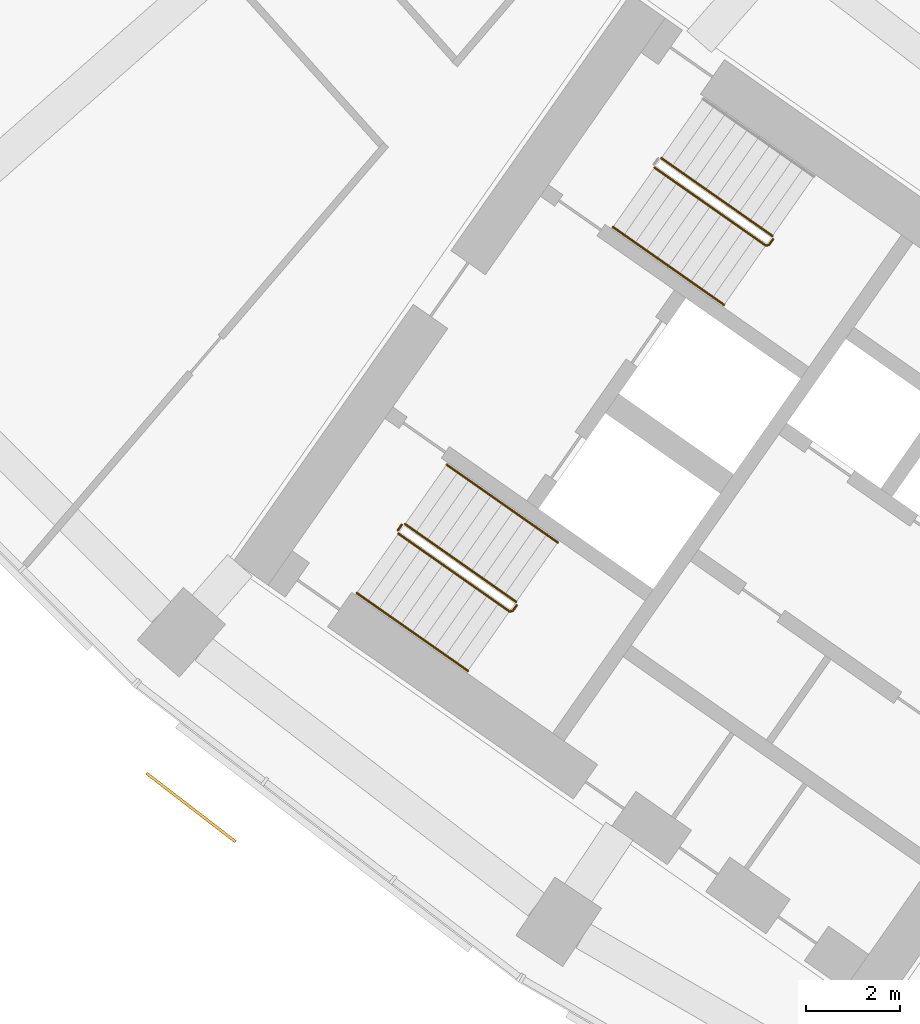
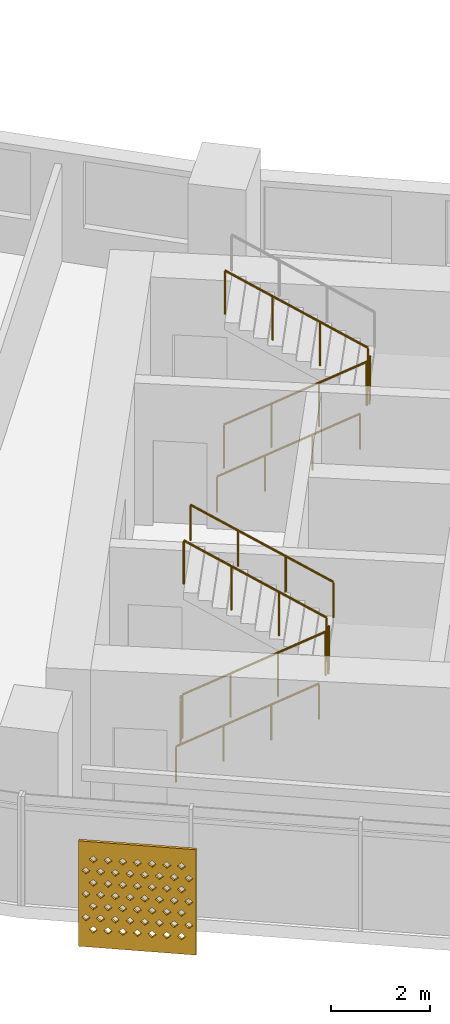
# One storey, part 23 of 29: 8 railings, 1 shading device.
"""IFC4 building model written with IfcOpenShell, lengths in metres."""

from ifc_helpers import new_model, si_unit, direction, frame, origin, origin_2d, place, context, subcontext, project, spatial, polyline, circle, outline, extrude, material, material_profile, profile_set, type_object, element, save


model = new_model("IFC4")

# Units and contexts
model_context = context("Model", 3, precision=1e-05, world=origin(), true_north=direction((0.0, 1.0)))
body_context = subcontext(model_context, "Body", "Model", "MODEL_VIEW")
ifc_project = project(units=[si_unit("LENGTHUNIT", "METRE"), si_unit("AREAUNIT", "SQUARE_METRE"), si_unit("VOLUMEUNIT", "CUBIC_METRE"), si_unit("PLANEANGLEUNIT", "RADIAN"), si_unit("MASSUNIT", "GRAM", prefix="KILO")], contexts=[model_context])

# Site, building, storey
site_placement = place(None, origin())
site = spatial("IfcSite", under=ifc_project, at=site_placement, CompositionType="ELEMENT")
building_placement = place(site_placement, origin())
building = spatial("IfcBuilding", under=site, at=building_placement, Name="Qamariyya Broadcast Tower", CompositionType="ELEMENT")
storey_placement = place(building_placement, frame((0.0, 0.0, 121.5)))
storey = spatial("IfcBuildingStorey", under=building, at=storey_placement, Name="L27", CompositionType="ELEMENT", Elevation=121.5)

# Shading device
ifc_material_1 = material(Name="Perforated glazed terracotta", Category="masonry")
ifc_material_profile = material_profile(ifc_material_1, outline(polyline([(-1.199951171875, -1.300048828125), (1.199951171875, -1.300048828125), (1.199951171875, 1.300048828125), (-1.199951171875, 1.300048828125), (-1.199951171875, -1.300048828125)]), holes=[polyline([(-0.81494140625, -0.86669921875), (-0.89990234375, -0.78173828125), (-0.985107421875, -0.86669921875), (-0.89990234375, -0.95166015625), (-0.81494140625, -0.86669921875)]), polyline([(-0.514892578125, -0.86669921875), (-0.60009765625, -0.78173828125), (-0.68505859375, -0.86669921875), (-0.60009765625, -0.95166015625), (-0.514892578125, -0.86669921875)]), polyline([(-0.215087890625, -0.86669921875), (-0.300048828125, -0.78173828125), (-0.385009765625, -0.86669921875), (-0.300048828125, -0.95166015625), (-0.215087890625, -0.86669921875)]), polyline([(0.0849609375, -0.86669921875), (0.0, -0.78173828125), (-0.0849609375, -0.86669921875), (0.0, -0.95166015625), (0.0849609375, -0.86669921875)]), polyline([(0.385009765625, -0.86669921875), (0.300048828125, -0.78173828125), (0.215087890625, -0.86669921875), (0.300048828125, -0.95166015625), (0.385009765625, -0.86669921875)]), polyline([(0.68505859375, -0.86669921875), (0.60009765625, -0.78173828125), (0.514892578125, -0.86669921875), (0.60009765625, -0.95166015625), (0.68505859375, -0.86669921875)]), polyline([(0.985107421875, -0.86669921875), (0.89990234375, -0.78173828125), (0.81494140625, -0.86669921875), (0.89990234375, -0.95166015625), (0.985107421875, -0.86669921875)]), polyline([(-0.965087890625, -0.577880859375), (-1.050048828125, -0.49267578125), (-1.135009765625, -0.577880859375), (-1.050048828125, -0.662841796875), (-0.965087890625, -0.577880859375)]), polyline([(-0.6650390625, -0.577880859375), (-0.75, -0.49267578125), (-0.8349609375, -0.577880859375), (-0.75, -0.662841796875), (-0.6650390625, -0.577880859375)]), polyline([(-0.364990234375, -0.577880859375), (-0.449951171875, -0.49267578125), (-0.534912109375, -0.577880859375), (-0.449951171875, -0.662841796875), (-0.364990234375, -0.577880859375)]), polyline([(-0.06494140625, -0.577880859375), (-0.14990234375, -0.49267578125), (-0.235107421875, -0.577880859375), (-0.14990234375, -0.662841796875), (-0.06494140625, -0.577880859375)]), polyline([(0.235107421875, -0.577880859375), (0.14990234375, -0.49267578125), (0.06494140625, -0.577880859375), (0.14990234375, -0.662841796875), (0.235107421875, -0.577880859375)]), polyline([(0.534912109375, -0.577880859375), (0.449951171875, -0.49267578125), (0.364990234375, -0.577880859375), (0.449951171875, -0.662841796875), (0.534912109375, -0.577880859375)]), polyline([(0.8349609375, -0.577880859375), (0.75, -0.49267578125), (0.6650390625, -0.577880859375), (0.75, -0.662841796875), (0.8349609375, -0.577880859375)]), polyline([(1.135009765625, -0.577880859375), (1.050048828125, -0.49267578125), (0.965087890625, -0.577880859375), (1.050048828125, -0.662841796875), (1.135009765625, -0.577880859375)]), polyline([(-0.81494140625, -0.288818359375), (-0.89990234375, -0.203857421875), (-0.985107421875, -0.288818359375), (-0.89990234375, -0.373779296875), (-0.81494140625, -0.288818359375)]), polyline([(-0.514892578125, -0.288818359375), (-0.60009765625, -0.203857421875), (-0.68505859375, -0.288818359375), (-0.60009765625, -0.373779296875), (-0.514892578125, -0.288818359375)]), polyline([(-0.215087890625, -0.288818359375), (-0.300048828125, -0.203857421875), (-0.385009765625, -0.288818359375), (-0.300048828125, -0.373779296875), (-0.215087890625, -0.288818359375)]), polyline([(0.0849609375, -0.288818359375), (0.0, -0.203857421875), (-0.0849609375, -0.288818359375), (0.0, -0.373779296875), (0.0849609375, -0.288818359375)]), polyline([(0.385009765625, -0.288818359375), (0.300048828125, -0.203857421875), (0.215087890625, -0.288818359375), (0.300048828125, -0.373779296875), (0.385009765625, -0.288818359375)]), polyline([(0.68505859375, -0.288818359375), (0.60009765625, -0.203857421875), (0.514892578125, -0.288818359375), (0.60009765625, -0.373779296875), (0.68505859375, -0.288818359375)]), polyline([(0.985107421875, -0.288818359375), (0.89990234375, -0.203857421875), (0.81494140625, -0.288818359375), (0.89990234375, -0.373779296875), (0.985107421875, -0.288818359375)]), polyline([(-0.965087890625, 0.0), (-1.050048828125, 0.0849609375), (-1.135009765625, 0.0), (-1.050048828125, -0.0849609375), (-0.965087890625, 0.0)]), polyline([(-0.6650390625, 0.0), (-0.75, 0.0849609375), (-0.8349609375, 0.0), (-0.75, -0.0849609375), (-0.6650390625, 0.0)]), polyline([(-0.364990234375, 0.0), (-0.449951171875, 0.0849609375), (-0.534912109375, 0.0), (-0.449951171875, -0.0849609375), (-0.364990234375, 0.0)]), polyline([(-0.06494140625, 0.0), (-0.14990234375, 0.0849609375), (-0.235107421875, 0.0), (-0.14990234375, -0.0849609375), (-0.06494140625, 0.0)]), polyline([(0.235107421875, 0.0), (0.14990234375, 0.0849609375), (0.06494140625, 0.0), (0.14990234375, -0.0849609375), (0.235107421875, 0.0)]), polyline([(0.534912109375, 0.0), (0.449951171875, 0.0849609375), (0.364990234375, 0.0), (0.449951171875, -0.0849609375), (0.534912109375, 0.0)]), polyline([(0.8349609375, 0.0), (0.75, 0.0849609375), (0.6650390625, 0.0), (0.75, -0.0849609375), (0.8349609375, 0.0)]), polyline([(1.135009765625, 0.0), (1.050048828125, 0.0849609375), (0.965087890625, 0.0), (1.050048828125, -0.0849609375), (1.135009765625, 0.0)]), polyline([(-0.81494140625, 0.288818359375), (-0.89990234375, 0.373779296875), (-0.985107421875, 0.288818359375), (-0.89990234375, 0.203857421875), (-0.81494140625, 0.288818359375)]), polyline([(-0.514892578125, 0.288818359375), (-0.60009765625, 0.373779296875), (-0.68505859375, 0.288818359375), (-0.60009765625, 0.203857421875), (-0.514892578125, 0.288818359375)]), polyline([(-0.215087890625, 0.288818359375), (-0.300048828125, 0.373779296875), (-0.385009765625, 0.288818359375), (-0.300048828125, 0.203857421875), (-0.215087890625, 0.288818359375)]), polyline([(0.0849609375, 0.288818359375), (0.0, 0.373779296875), (-0.0849609375, 0.288818359375), (0.0, 0.203857421875), (0.0849609375, 0.288818359375)]), polyline([(0.385009765625, 0.288818359375), (0.300048828125, 0.373779296875), (0.215087890625, 0.288818359375), (0.300048828125, 0.203857421875), (0.385009765625, 0.288818359375)]), polyline([(0.68505859375, 0.288818359375), (0.60009765625, 0.373779296875), (0.514892578125, 0.288818359375), (0.60009765625, 0.203857421875), (0.68505859375, 0.288818359375)]), polyline([(0.985107421875, 0.288818359375), (0.89990234375, 0.373779296875), (0.81494140625, 0.288818359375), (0.89990234375, 0.203857421875), (0.985107421875, 0.288818359375)]), polyline([(-0.965087890625, 0.577880859375), (-1.050048828125, 0.662841796875), (-1.135009765625, 0.577880859375), (-1.050048828125, 0.49267578125), (-0.965087890625, 0.577880859375)]), polyline([(-0.6650390625, 0.577880859375), (-0.75, 0.662841796875), (-0.8349609375, 0.577880859375), (-0.75, 0.49267578125), (-0.6650390625, 0.577880859375)]), polyline([(-0.364990234375, 0.577880859375), (-0.449951171875, 0.662841796875), (-0.534912109375, 0.577880859375), (-0.449951171875, 0.49267578125), (-0.364990234375, 0.577880859375)]), polyline([(-0.06494140625, 0.577880859375), (-0.14990234375, 0.662841796875), (-0.235107421875, 0.577880859375), (-0.14990234375, 0.49267578125), (-0.06494140625, 0.577880859375)]), polyline([(0.235107421875, 0.577880859375), (0.14990234375, 0.662841796875), (0.06494140625, 0.577880859375), (0.14990234375, 0.49267578125), (0.235107421875, 0.577880859375)]), polyline([(0.534912109375, 0.577880859375), (0.449951171875, 0.662841796875), (0.364990234375, 0.577880859375), (0.449951171875, 0.49267578125), (0.534912109375, 0.577880859375)]), polyline([(0.8349609375, 0.577880859375), (0.75, 0.662841796875), (0.6650390625, 0.577880859375), (0.75, 0.49267578125), (0.8349609375, 0.577880859375)]), polyline([(1.135009765625, 0.577880859375), (1.050048828125, 0.662841796875), (0.965087890625, 0.577880859375), (1.050048828125, 0.49267578125), (1.135009765625, 0.577880859375)]), polyline([(-0.81494140625, 0.86669921875), (-0.89990234375, 0.95166015625), (-0.985107421875, 0.86669921875), (-0.89990234375, 0.78173828125), (-0.81494140625, 0.86669921875)]), polyline([(-0.514892578125, 0.86669921875), (-0.60009765625, 0.95166015625), (-0.68505859375, 0.86669921875), (-0.60009765625, 0.78173828125), (-0.514892578125, 0.86669921875)]), polyline([(-0.215087890625, 0.86669921875), (-0.300048828125, 0.95166015625), (-0.385009765625, 0.86669921875), (-0.300048828125, 0.78173828125), (-0.215087890625, 0.86669921875)]), polyline([(0.0849609375, 0.86669921875), (0.0, 0.95166015625), (-0.0849609375, 0.86669921875), (0.0, 0.78173828125), (0.0849609375, 0.86669921875)]), polyline([(0.385009765625, 0.86669921875), (0.300048828125, 0.95166015625), (0.215087890625, 0.86669921875), (0.300048828125, 0.78173828125), (0.385009765625, 0.86669921875)]), polyline([(0.68505859375, 0.86669921875), (0.60009765625, 0.95166015625), (0.514892578125, 0.86669921875), (0.60009765625, 0.78173828125), (0.68505859375, 0.86669921875)]), polyline([(0.985107421875, 0.86669921875), (0.89990234375, 0.95166015625), (0.81494140625, 0.86669921875), (0.89990234375, 0.78173828125), (0.985107421875, 0.86669921875)])]))
ifc_profile_set = profile_set([ifc_material_profile], Name="Perforated glazed terracotta")
shading_device_type = type_object("IfcShadingDeviceType", Name="Perforated terracotta screen 2400 x 2600", PredefinedType="USERDEFINED", material=ifc_profile_set)
shading_device_placement = place(storey_placement, frame((-51.038818359375, -62.1787109375, 1.35009765625), z_axis=(-0.60971076085, -0.792623989105, 0.0), x_axis=(0.792623989105, -0.60971076085, 0.0)))
element("IfcShadingDevice", 1, at=shading_device_placement, inside=storey, type_object=shading_device_type, Name="e-scr-L27-04-0", ObjectType="SCREEN", PredefinedType="USERDEFINED", context=body_context, shape_type="SweptSolid", body=[
    extrude(outline(polyline([(-1.199951171875, -1.300048828125), (1.199951171875, -1.300048828125), (1.199951171875, 1.300048828125), (-1.199951171875, 1.300048828125), (-1.199951171875, -1.300048828125)]), holes=[polyline([(-0.81494140625, -0.86669921875), (-0.89990234375, -0.78173828125), (-0.985107421875, -0.86669921875), (-0.89990234375, -0.95166015625), (-0.81494140625, -0.86669921875)]), polyline([(-0.514892578125, -0.86669921875), (-0.60009765625, -0.78173828125), (-0.68505859375, -0.86669921875), (-0.60009765625, -0.95166015625), (-0.514892578125, -0.86669921875)]), polyline([(-0.215087890625, -0.86669921875), (-0.300048828125, -0.78173828125), (-0.385009765625, -0.86669921875), (-0.300048828125, -0.95166015625), (-0.215087890625, -0.86669921875)]), polyline([(0.0849609375, -0.86669921875), (0.0, -0.78173828125), (-0.0849609375, -0.86669921875), (0.0, -0.95166015625), (0.0849609375, -0.86669921875)]), polyline([(0.385009765625, -0.86669921875), (0.300048828125, -0.78173828125), (0.215087890625, -0.86669921875), (0.300048828125, -0.95166015625), (0.385009765625, -0.86669921875)]), polyline([(0.68505859375, -0.86669921875), (0.60009765625, -0.78173828125), (0.514892578125, -0.86669921875), (0.60009765625, -0.95166015625), (0.68505859375, -0.86669921875)]), polyline([(0.985107421875, -0.86669921875), (0.89990234375, -0.78173828125), (0.81494140625, -0.86669921875), (0.89990234375, -0.95166015625), (0.985107421875, -0.86669921875)]), polyline([(-0.965087890625, -0.577880859375), (-1.050048828125, -0.49267578125), (-1.135009765625, -0.577880859375), (-1.050048828125, -0.662841796875), (-0.965087890625, -0.577880859375)]), polyline([(-0.6650390625, -0.577880859375), (-0.75, -0.49267578125), (-0.8349609375, -0.577880859375), (-0.75, -0.662841796875), (-0.6650390625, -0.577880859375)]), polyline([(-0.364990234375, -0.577880859375), (-0.449951171875, -0.49267578125), (-0.534912109375, -0.577880859375), (-0.449951171875, -0.662841796875), (-0.364990234375, -0.577880859375)]), polyline([(-0.06494140625, -0.577880859375), (-0.14990234375, -0.49267578125), (-0.235107421875, -0.577880859375), (-0.14990234375, -0.662841796875), (-0.06494140625, -0.577880859375)]), polyline([(0.235107421875, -0.577880859375), (0.14990234375, -0.49267578125), (0.06494140625, -0.577880859375), (0.14990234375, -0.662841796875), (0.235107421875, -0.577880859375)]), polyline([(0.534912109375, -0.577880859375), (0.449951171875, -0.49267578125), (0.364990234375, -0.577880859375), (0.449951171875, -0.662841796875), (0.534912109375, -0.577880859375)]), polyline([(0.8349609375, -0.577880859375), (0.75, -0.49267578125), (0.6650390625, -0.577880859375), (0.75, -0.662841796875), (0.8349609375, -0.577880859375)]), polyline([(1.135009765625, -0.577880859375), (1.050048828125, -0.49267578125), (0.965087890625, -0.577880859375), (1.050048828125, -0.662841796875), (1.135009765625, -0.577880859375)]), polyline([(-0.81494140625, -0.288818359375), (-0.89990234375, -0.203857421875), (-0.985107421875, -0.288818359375), (-0.89990234375, -0.373779296875), (-0.81494140625, -0.288818359375)]), polyline([(-0.514892578125, -0.288818359375), (-0.60009765625, -0.203857421875), (-0.68505859375, -0.288818359375), (-0.60009765625, -0.373779296875), (-0.514892578125, -0.288818359375)]), polyline([(-0.215087890625, -0.288818359375), (-0.300048828125, -0.203857421875), (-0.385009765625, -0.288818359375), (-0.300048828125, -0.373779296875), (-0.215087890625, -0.288818359375)]), polyline([(0.0849609375, -0.288818359375), (0.0, -0.203857421875), (-0.0849609375, -0.288818359375), (0.0, -0.373779296875), (0.0849609375, -0.288818359375)]), polyline([(0.385009765625, -0.288818359375), (0.300048828125, -0.203857421875), (0.215087890625, -0.288818359375), (0.300048828125, -0.373779296875), (0.385009765625, -0.288818359375)]), polyline([(0.68505859375, -0.288818359375), (0.60009765625, -0.203857421875), (0.514892578125, -0.288818359375), (0.60009765625, -0.373779296875), (0.68505859375, -0.288818359375)]), polyline([(0.985107421875, -0.288818359375), (0.89990234375, -0.203857421875), (0.81494140625, -0.288818359375), (0.89990234375, -0.373779296875), (0.985107421875, -0.288818359375)]), polyline([(-0.965087890625, 0.0), (-1.050048828125, 0.0849609375), (-1.135009765625, 0.0), (-1.050048828125, -0.0849609375), (-0.965087890625, 0.0)]), polyline([(-0.6650390625, 0.0), (-0.75, 0.0849609375), (-0.8349609375, 0.0), (-0.75, -0.0849609375), (-0.6650390625, 0.0)]), polyline([(-0.364990234375, 0.0), (-0.449951171875, 0.0849609375), (-0.534912109375, 0.0), (-0.449951171875, -0.0849609375), (-0.364990234375, 0.0)]), polyline([(-0.06494140625, 0.0), (-0.14990234375, 0.0849609375), (-0.235107421875, 0.0), (-0.14990234375, -0.0849609375), (-0.06494140625, 0.0)]), polyline([(0.235107421875, 0.0), (0.14990234375, 0.0849609375), (0.06494140625, 0.0), (0.14990234375, -0.0849609375), (0.235107421875, 0.0)]), polyline([(0.534912109375, 0.0), (0.449951171875, 0.0849609375), (0.364990234375, 0.0), (0.449951171875, -0.0849609375), (0.534912109375, 0.0)]), polyline([(0.8349609375, 0.0), (0.75, 0.0849609375), (0.6650390625, 0.0), (0.75, -0.0849609375), (0.8349609375, 0.0)]), polyline([(1.135009765625, 0.0), (1.050048828125, 0.0849609375), (0.965087890625, 0.0), (1.050048828125, -0.0849609375), (1.135009765625, 0.0)]), polyline([(-0.81494140625, 0.288818359375), (-0.89990234375, 0.373779296875), (-0.985107421875, 0.288818359375), (-0.89990234375, 0.203857421875), (-0.81494140625, 0.288818359375)]), polyline([(-0.514892578125, 0.288818359375), (-0.60009765625, 0.373779296875), (-0.68505859375, 0.288818359375), (-0.60009765625, 0.203857421875), (-0.514892578125, 0.288818359375)]), polyline([(-0.215087890625, 0.288818359375), (-0.300048828125, 0.373779296875), (-0.385009765625, 0.288818359375), (-0.300048828125, 0.203857421875), (-0.215087890625, 0.288818359375)]), polyline([(0.0849609375, 0.288818359375), (0.0, 0.373779296875), (-0.0849609375, 0.288818359375), (0.0, 0.203857421875), (0.0849609375, 0.288818359375)]), polyline([(0.385009765625, 0.288818359375), (0.300048828125, 0.373779296875), (0.215087890625, 0.288818359375), (0.300048828125, 0.203857421875), (0.385009765625, 0.288818359375)]), polyline([(0.68505859375, 0.288818359375), (0.60009765625, 0.373779296875), (0.514892578125, 0.288818359375), (0.60009765625, 0.203857421875), (0.68505859375, 0.288818359375)]), polyline([(0.985107421875, 0.288818359375), (0.89990234375, 0.373779296875), (0.81494140625, 0.288818359375), (0.89990234375, 0.203857421875), (0.985107421875, 0.288818359375)]), polyline([(-0.965087890625, 0.577880859375), (-1.050048828125, 0.662841796875), (-1.135009765625, 0.577880859375), (-1.050048828125, 0.49267578125), (-0.965087890625, 0.577880859375)]), polyline([(-0.6650390625, 0.577880859375), (-0.75, 0.662841796875), (-0.8349609375, 0.577880859375), (-0.75, 0.49267578125), (-0.6650390625, 0.577880859375)]), polyline([(-0.364990234375, 0.577880859375), (-0.449951171875, 0.662841796875), (-0.534912109375, 0.577880859375), (-0.449951171875, 0.49267578125), (-0.364990234375, 0.577880859375)]), polyline([(-0.06494140625, 0.577880859375), (-0.14990234375, 0.662841796875), (-0.235107421875, 0.577880859375), (-0.14990234375, 0.49267578125), (-0.06494140625, 0.577880859375)]), polyline([(0.235107421875, 0.577880859375), (0.14990234375, 0.662841796875), (0.06494140625, 0.577880859375), (0.14990234375, 0.49267578125), (0.235107421875, 0.577880859375)]), polyline([(0.534912109375, 0.577880859375), (0.449951171875, 0.662841796875), (0.364990234375, 0.577880859375), (0.449951171875, 0.49267578125), (0.534912109375, 0.577880859375)]), polyline([(0.8349609375, 0.577880859375), (0.75, 0.662841796875), (0.6650390625, 0.577880859375), (0.75, 0.49267578125), (0.8349609375, 0.577880859375)]), polyline([(1.135009765625, 0.577880859375), (1.050048828125, 0.662841796875), (0.965087890625, 0.577880859375), (1.050048828125, 0.49267578125), (1.135009765625, 0.577880859375)]), polyline([(-0.81494140625, 0.86669921875), (-0.89990234375, 0.95166015625), (-0.985107421875, 0.86669921875), (-0.89990234375, 0.78173828125), (-0.81494140625, 0.86669921875)]), polyline([(-0.514892578125, 0.86669921875), (-0.60009765625, 0.95166015625), (-0.68505859375, 0.86669921875), (-0.60009765625, 0.78173828125), (-0.514892578125, 0.86669921875)]), polyline([(-0.215087890625, 0.86669921875), (-0.300048828125, 0.95166015625), (-0.385009765625, 0.86669921875), (-0.300048828125, 0.78173828125), (-0.215087890625, 0.86669921875)]), polyline([(0.0849609375, 0.86669921875), (0.0, 0.95166015625), (-0.0849609375, 0.86669921875), (0.0, 0.78173828125), (0.0849609375, 0.86669921875)]), polyline([(0.385009765625, 0.86669921875), (0.300048828125, 0.95166015625), (0.215087890625, 0.86669921875), (0.300048828125, 0.78173828125), (0.385009765625, 0.86669921875)]), polyline([(0.68505859375, 0.86669921875), (0.60009765625, 0.95166015625), (0.514892578125, 0.86669921875), (0.60009765625, 0.78173828125), (0.68505859375, 0.86669921875)]), polyline([(0.985107421875, 0.86669921875), (0.89990234375, 0.95166015625), (0.81494140625, 0.86669921875), (0.89990234375, 0.78173828125), (0.985107421875, 0.86669921875)])]), origin(), (0.0, 0.0, 1.0), 0.06005859375),
])

# Railings
ifc_material_2 = material(Name="Painted steel", Category="steel")
railing_type_1 = type_object("IfcRailingType", Name="Stair guard", PredefinedType="GUARDRAIL", material=ifc_material_2)
railing_1_placement = place(storey_placement, frame((-41.146728515625, -48.52490234375, 0.172607421875)))
element("IfcRailing", 2, at=railing_1_placement, inside=storey, type_object=railing_type_1, Name="L27 ST-W2 stair guard 1", PredefinedType="GUARDRAIL", context=body_context, shape_type="SweptSolid", body=[
    extrude(circle(Radius=0.02392578125, at=origin_2d()), frame((0.0, 0.0, 1.076171875), z_axis=(0.703770094002, -0.492783725636, 0.511734163933), x_axis=(0.573575343427, 0.819152809562, 0.0)), (0.0, 0.0, 1.0), 3.37548828125),
    extrude(circle(Radius=0.02392578125, at=origin_2d()), frame((2.37548828125, -1.663330078125, 2.80322265625), z_axis=(0.985059694769, 0.172213233351, 0.0), x_axis=(-0.172213233351, 0.985059694769, 0.0)), (0.0, 0.0, 1.0), 0.07080078125),
    extrude(circle(Radius=0.02392578125, at=origin_2d()), frame((2.4453125, -1.651123046875, 2.80322265625), z_axis=(0.572588637393, 0.819842821722, 0.0), x_axis=(-0.819842821722, 0.572588637393, 0.0)), (0.0, 0.0, 1.0), 0.150146484375),
    extrude(circle(Radius=0.02099609375, at=origin_2d()), origin(), (0.0, 0.0, 1.0), 1.052001953125),
    extrude(circle(Radius=0.02099609375, at=origin_2d()), frame((0.791748046875, -0.554443359375, 0.57568359375)), (0.0, 0.0, 1.0), 1.052001953125),
    extrude(circle(Radius=0.02099609375, at=origin_2d()), frame((1.583740234375, -1.10888671875, 1.151611328125)), (0.0, 0.0, 1.0), 1.052001953125),
    extrude(circle(Radius=0.02099609375, at=origin_2d()), frame((2.37548828125, -1.663330078125, 1.727294921875)), (0.0, 0.0, 1.0), 1.052001953125),
    extrude(circle(Radius=0.02099609375, at=origin_2d()), frame((2.4453125, -1.651123046875, 1.727294921875)), (0.0, 0.0, 1.0), 1.052001953125),
    extrude(circle(Radius=0.02099609375, at=origin_2d()), frame((2.53125, -1.528076171875, 1.727294921875)), (0.0, 0.0, 1.0), 1.052001953125),
])
railing_2_placement = place(storey_placement, frame((-38.627685546875, -49.9833984375, 2.07275390625)))
element("IfcRailing", 3, at=railing_2_placement, inside=storey, type_object=railing_type_1, Name="L27 ST-W2 stair guard 2", PredefinedType="GUARDRAIL", context=body_context, shape_type="SweptSolid", body=[
    extrude(circle(Radius=0.02392578125, at=origin_2d()), frame((0.0, 0.0, 1.076171875), z_axis=(-0.703770094002, 0.492783725636, 0.511734163933), x_axis=(-0.573575343427, -0.819152809562, 0.0)), (0.0, 0.0, 1.0), 3.37548828125),
    extrude(circle(Radius=0.02099609375, at=origin_2d()), origin(), (0.0, 0.0, 1.0), 1.052001953125),
    extrude(circle(Radius=0.02099609375, at=origin_2d()), frame((-0.791748046875, 0.554443359375, 0.57568359375)), (0.0, 0.0, 1.0), 1.052001953125),
    extrude(circle(Radius=0.02099609375, at=origin_2d()), frame((-1.583740234375, 1.10888671875, 1.151611328125)), (0.0, 0.0, 1.0), 1.052001953125),
    extrude(circle(Radius=0.02099609375, at=origin_2d()), frame((-2.37548828125, 1.663330078125, 1.727294921875)), (0.0, 0.0, 1.0), 1.052001953125),
])
railing_3_placement = place(storey_placement, frame((-46.624267578125, -56.34765625, 0.172607421875)))
element("IfcRailing", 4, at=railing_3_placement, inside=storey, type_object=railing_type_1, Name="L27 ST-W1 stair guard 1", PredefinedType="GUARDRAIL", context=body_context, shape_type="SweptSolid", body=[
    extrude(circle(Radius=0.02392578125, at=origin_2d()), frame((0.0, 0.0, 1.076171875), z_axis=(0.703745009021, -0.492838488332, 0.511715923826), x_axis=(0.573631830683, 0.819113253969, 0.0)), (0.0, 0.0, 1.0), 3.37548828125),
    extrude(circle(Radius=0.02392578125, at=origin_2d()), frame((2.37548828125, -1.66357421875, 2.80322265625), z_axis=(0.984363469884, 0.176149252506, 0.0), x_axis=(-0.176149252506, 0.984363469884, 0.0)), (0.0, 0.0, 1.0), 0.07080078125),
    extrude(circle(Radius=0.02392578125, at=origin_2d()), frame((2.445068359375, -1.651123046875, 2.80322265625), z_axis=(0.574444878118, 0.818543268254, 0.0), x_axis=(-0.818543268254, 0.574444878118, 0.0)), (0.0, 0.0, 1.0), 0.150146484375),
    extrude(circle(Radius=0.02099609375, at=origin_2d()), origin(), (0.0, 0.0, 1.0), 1.052001953125),
    extrude(circle(Radius=0.02099609375, at=origin_2d()), frame((0.791748046875, -0.554443359375, 0.57568359375)), (0.0, 0.0, 1.0), 1.052001953125),
    extrude(circle(Radius=0.02099609375, at=origin_2d()), frame((1.583740234375, -1.109130859375, 1.151611328125)), (0.0, 0.0, 1.0), 1.052001953125),
    extrude(circle(Radius=0.02099609375, at=origin_2d()), frame((2.37548828125, -1.66357421875, 1.727294921875)), (0.0, 0.0, 1.0), 1.052001953125),
    extrude(circle(Radius=0.02099609375, at=origin_2d()), frame((2.445068359375, -1.651123046875, 1.727294921875)), (0.0, 0.0, 1.0), 1.052001953125),
    extrude(circle(Radius=0.02099609375, at=origin_2d()), frame((2.53125, -1.5283203125, 1.727294921875)), (0.0, 0.0, 1.0), 1.052001953125),
])
railing_4_placement = place(storey_placement, frame((-44.10546875, -57.806396484375, 2.07275390625)))
element("IfcRailing", 5, at=railing_4_placement, inside=storey, type_object=railing_type_1, Name="L27 ST-W1 stair guard 2", PredefinedType="GUARDRAIL", context=body_context, shape_type="SweptSolid", body=[
    extrude(circle(Radius=0.02392578125, at=origin_2d()), frame((0.0, 0.0, 1.076171875), z_axis=(-0.703770094002, 0.492783725636, 0.511734163933), x_axis=(-0.573575343427, -0.819152809562, 0.0)), (0.0, 0.0, 1.0), 3.37548828125),
    extrude(circle(Radius=0.02099609375, at=origin_2d()), origin(), (0.0, 0.0, 1.0), 1.052001953125),
    extrude(circle(Radius=0.02099609375, at=origin_2d()), frame((-0.791748046875, 0.554443359375, 0.57568359375)), (0.0, 0.0, 1.0), 1.052001953125),
    extrude(circle(Radius=0.02099609375, at=origin_2d()), frame((-1.583740234375, 1.10888671875, 1.151611328125)), (0.0, 0.0, 1.0), 1.052001953125),
    extrude(circle(Radius=0.02099609375, at=origin_2d()), frame((-2.37548828125, 1.663330078125, 1.727294921875)), (0.0, 0.0, 1.0), 1.052001953125),
])
railing_5_placement = place(storey_placement, frame((-46.63671875, -56.278076171875, 0.0)))
element("IfcRailing", 6, at=railing_5_placement, inside=storey, type_object=railing_type_1, Name="L27 ST-W1 stair guard 3", PredefinedType="GUARDRAIL", context=body_context, shape_type="SweptSolid", body=[
    extrude(circle(Radius=0.02392578125, at=origin_2d()), frame((0.0, 0.0, 1.076171875), z_axis=(0.574444878118, 0.818543268254, 0.0), x_axis=(-0.818543268254, 0.574444878118, 0.0)), (0.0, 0.0, 1.0), 0.150146484375),
    extrude(circle(Radius=0.02099609375, at=origin_2d()), origin(), (0.0, 0.0, 1.0), 1.052001953125),
    extrude(circle(Radius=0.02099609375, at=origin_2d()), frame((0.086181640625, 0.122802734375, 0.0)), (0.0, 0.0, 1.0), 1.052001953125),
])
ifc_material_3 = material(Name="Stainless steel", Category="steel")
railing_type_2 = type_object("IfcRailingType", Name="Stair handrail", PredefinedType="HANDRAIL", material=ifc_material_3)
railing_6_placement = place(storey_placement, frame((-42.03564453125, -49.79443359375, 0.172607421875)))
element("IfcRailing", 7, at=railing_6_placement, inside=storey, type_object=railing_type_2, Name="L27 ST-W2 stair handrail 1", PredefinedType="HANDRAIL", context=body_context, shape_type="SweptSolid", body=[
    extrude(circle(Radius=0.02392578125, at=origin_2d()), frame((0.0, 0.0, 0.8759765625), z_axis=(0.703745009021, -0.492838488332, 0.511715923826), x_axis=(0.573631830683, 0.819113253969, 0.0)), (0.0, 0.0, 1.0), 3.37548828125),
    extrude(circle(Radius=0.02099609375, at=origin_2d()), origin(), (0.0, 0.0, 1.0), 0.851806640625),
    extrude(circle(Radius=0.02099609375, at=origin_2d()), frame((0.791748046875, -0.554443359375, 0.57568359375)), (0.0, 0.0, 1.0), 0.851806640625),
    extrude(circle(Radius=0.02099609375, at=origin_2d()), frame((1.583740234375, -1.109130859375, 1.151611328125)), (0.0, 0.0, 1.0), 0.851806640625),
    extrude(circle(Radius=0.02099609375, at=origin_2d()), frame((2.37548828125, -1.66357421875, 1.727294921875)), (0.0, 0.0, 1.0), 0.851806640625),
])
railing_7_placement = place(storey_placement, frame((-47.513427734375, -57.617431640625, 0.172607421875)))
element("IfcRailing", 8, at=railing_7_placement, inside=storey, type_object=railing_type_2, Name="L27 ST-W1 stair handrail 1", PredefinedType="HANDRAIL", context=body_context, shape_type="SweptSolid", body=[
    extrude(circle(Radius=0.02392578125, at=origin_2d()), frame((0.0, 0.0, 0.8759765625), z_axis=(0.703770094002, -0.492783725636, 0.511734163933), x_axis=(0.573575343427, 0.819152809562, 0.0)), (0.0, 0.0, 1.0), 3.37548828125),
    extrude(circle(Radius=0.02099609375, at=origin_2d()), origin(), (0.0, 0.0, 1.0), 0.851806640625),
    extrude(circle(Radius=0.02099609375, at=origin_2d()), frame((0.791748046875, -0.554443359375, 0.57568359375)), (0.0, 0.0, 1.0), 0.851806640625),
    extrude(circle(Radius=0.02099609375, at=origin_2d()), frame((1.583740234375, -1.10888671875, 1.151611328125)), (0.0, 0.0, 1.0), 0.851806640625),
    extrude(circle(Radius=0.02099609375, at=origin_2d()), frame((2.37548828125, -1.663330078125, 1.727294921875)), (0.0, 0.0, 1.0), 0.851806640625),
])
railing_8_placement = place(storey_placement, frame((-43.21630859375, -56.53662109375, 2.07275390625)))
element("IfcRailing", 9, at=railing_8_placement, inside=storey, type_object=railing_type_2, Name="L27 ST-W1 stair handrail 2", PredefinedType="HANDRAIL", context=body_context, shape_type="SweptSolid", body=[
    extrude(circle(Radius=0.02392578125, at=origin_2d()), frame((0.0, 0.0, 0.8759765625), z_axis=(-0.703770094002, 0.492783725636, 0.511734163933), x_axis=(-0.573575343427, -0.819152809562, 0.0)), (0.0, 0.0, 1.0), 3.37548828125),
    extrude(circle(Radius=0.02099609375, at=origin_2d()), origin(), (0.0, 0.0, 1.0), 0.851806640625),
    extrude(circle(Radius=0.02099609375, at=origin_2d()), frame((-0.791748046875, 0.554443359375, 0.57568359375)), (0.0, 0.0, 1.0), 0.851806640625),
    extrude(circle(Radius=0.02099609375, at=origin_2d()), frame((-1.583740234375, 1.10888671875, 1.151611328125)), (0.0, 0.0, 1.0), 0.851806640625),
    extrude(circle(Radius=0.02099609375, at=origin_2d()), frame((-2.37548828125, 1.663330078125, 1.727294921875)), (0.0, 0.0, 1.0), 0.851806640625),
])

save(model, "model.ifc")
